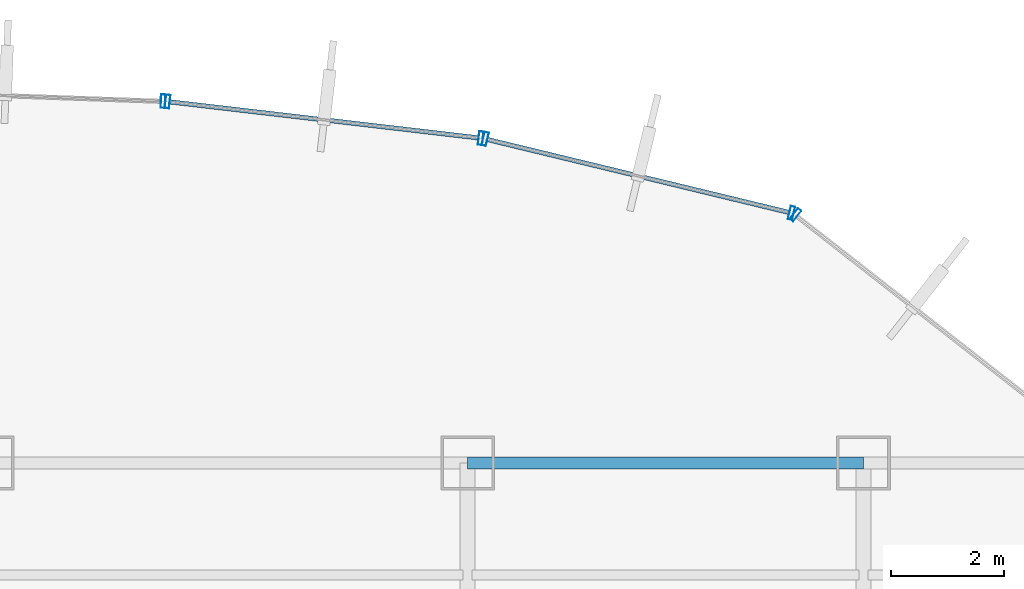
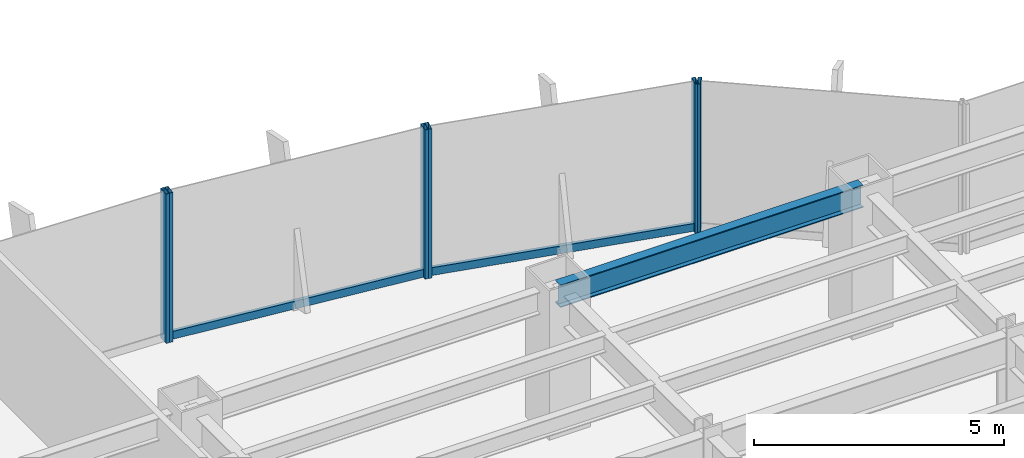
# One storey, part 14 of 22: 8 members, 1 beam, 4 elements without a shape of their own.
"""IFC4 building model written with IfcOpenShell, lengths in metres."""

import ifcopenshell
import ifcopenshell.guid

model = None  # the IFC model being written
_history = None  # IfcOwnerHistory: only IFC2X3 demands one
_inside = {}  # id of a spatial element -> (the spatial element, [elements in it])
_under = {}  # id of a project, library or spatial element -> (it, [spatial elements below it])
_declared = {}  # id of a project -> (the project, [libraries it declares])
_typed = {}  # id of a type object -> (the type object, [elements of that type])
_made_of = {}  # id of a material, layer set ... -> (it, [elements and type objects made of it])


def new_model(schema):
    """Start an empty IFC model of exactly this schema.

    Asked for "IFC4X3", IfcOpenShell would pick the latest addendum, in which some entities
    have other attributes; the version numbers below select the first issue.
    IFC2X3 requires an IfcOwnerHistory on every rooted entity: one is made here for all.
    """
    global model, _history
    if schema == "IFC4X3":
        model = ifcopenshell.file(schema_version=(4, 3, 0, 0))
    else:
        model = ifcopenshell.file(schema=schema)
    _inside.clear()
    _under.clear()
    _declared.clear()
    _typed.clear()
    _made_of.clear()
    _history = None
    if model.schema == "IFC2X3":
        org = make("IfcOrganization", Name="unknown")
        user = make(
            "IfcPersonAndOrganization",
            ThePerson=make("IfcPerson", FamilyName="unknown"),
            TheOrganization=org,
        )
        app = make(
            "IfcApplication",
            ApplicationDeveloper=org,
            Version="unknown",
            ApplicationFullName="unknown",
            ApplicationIdentifier="unknown",
        )
        _history = make(
            "IfcOwnerHistory",
            OwningUser=user,
            OwningApplication=app,
            ChangeAction="ADDED",
            CreationDate=0,
        )
    return model


def make(cls, **values):
    """One entity of the class cls with the attributes given. An attribute that is None is left unset."""
    return model.create_entity(
        cls, **{name: value for name, value in values.items() if value is not None}
    )


def rooted(cls, **values):
    """An entity with a GlobalId (a new one), such as an element, a storey or a relation."""
    return make(cls, GlobalId=ifcopenshell.guid.new(), OwnerHistory=_history, **values)


def si_unit(unit_type, name, prefix=None):
    """IfcSIUnit, for example si_unit("LENGTHUNIT", "METRE", prefix="MILLI")."""
    return make("IfcSIUnit", UnitType=unit_type, Prefix=prefix, Name=name)


def derived_unit(unit_type, elements):
    """IfcDerivedUnit: a product of units, each with its exponent."""
    return make(
        "IfcDerivedUnit",
        Elements=[
            make("IfcDerivedUnitElement", Unit=unit, Exponent=power)
            for unit, power in elements
        ],
        UnitType=unit_type,
    )


def assignment(units):
    """IfcUnitAssignment: the units of a project."""
    return None if units is None else make("IfcUnitAssignment", Units=units)


def point(xyz):
    """IfcCartesianPoint."""
    return None if xyz is None else make("IfcCartesianPoint", Coordinates=xyz)


def direction(xyz):
    """IfcDirection."""
    return None if xyz is None else make("IfcDirection", DirectionRatios=xyz)


def frame(location, z_axis=None, x_axis=None):
    """IfcAxis2Placement3D, a coordinate frame: its origin and axes. An axis left out is left unset."""
    return make(
        "IfcAxis2Placement3D",
        Location=point(location),
        Axis=direction(z_axis),
        RefDirection=direction(x_axis),
    )


def frame_2d(location, x_axis=None):
    """IfcAxis2Placement2D, a coordinate frame in the plane: its origin and x axis."""
    return make(
        "IfcAxis2Placement2D", Location=point(location), RefDirection=direction(x_axis)
    )


def origin():
    """The frame at (0, 0, 0) with its axes left unset."""
    return frame((0.0, 0.0, 0.0))


def origin_2d():
    """The frame at (0, 0) in the plane with its x axis left unset."""
    return frame_2d((0.0, 0.0))


def place(relative_to, where):
    """IfcLocalPlacement: puts the frame where relative to a parent placement (None: the world)."""
    return make(
        "IfcLocalPlacement", PlacementRelTo=relative_to, RelativePlacement=where
    )


def context(
    kind, dimensions, precision=None, world=None, true_north=None, identifier=None
):
    """IfcGeometricRepresentationContext, for example the 3D "Model" context."""
    return make(
        "IfcGeometricRepresentationContext",
        ContextIdentifier=identifier,
        ContextType=kind,
        CoordinateSpaceDimension=dimensions,
        Precision=precision,
        WorldCoordinateSystem=world,
        TrueNorth=true_north,
    )


def subcontext(parent, identifier, kind, view, scale=None):
    """IfcGeometricRepresentationSubContext, for example "Body" below "Model"."""
    return make(
        "IfcGeometricRepresentationSubContext",
        ContextIdentifier=identifier,
        ContextType=kind,
        ParentContext=parent,
        TargetScale=scale,
        TargetView=view,
    )


def project(units=None, contexts=None):
    """IfcProject with its units and contexts."""
    return rooted(
        "IfcProject",
        Name="project",
        RepresentationContexts=contexts,
        UnitsInContext=assignment(units),
    )


def spatial(cls, under=None, at=None, **own):
    """A site, building, storey or space (cls), placed at a placement, below another one or the project."""
    s = rooted(cls, ObjectPlacement=at, **own)
    if under is not None:
        _under.setdefault(under.id(), (under, []))[1].append(s)
    return s


def profile(cls, at=None, kind="AREA", **sizes):
    """A parametric profile (cls). Its sizes go by their IFC names, for example OverallWidth=200.0."""
    return make(cls, ProfileType=kind, Position=at, **sizes)


def hollow_rectangle(**sizes):
    """IfcRectangleHollowProfileDef."""
    return profile("IfcRectangleHollowProfileDef", **sizes)


def i_section(**sizes):
    """IfcIShapeProfileDef."""
    return profile("IfcIShapeProfileDef", **sizes)


def extrude(swept, where, along, depth):
    """IfcExtrudedAreaSolid: the profile swept, set in the frame where, extruded along a direction by depth."""
    return make(
        "IfcExtrudedAreaSolid",
        SweptArea=swept,
        Position=where,
        ExtrudedDirection=direction(along),
        Depth=depth,
    )


def shape(context_of_items, identifier, shape_type, items):
    """IfcShapeRepresentation: the items that make up one representation, for example the "Body"."""
    return make(
        "IfcShapeRepresentation",
        ContextOfItems=context_of_items,
        RepresentationIdentifier=identifier,
        RepresentationType=shape_type,
        Items=items,
    )


def source(mapping_origin, context_of_items, identifier, shape_type, items):
    """IfcRepresentationMap: a shape defined once, which mapped items show again and again."""
    return make(
        "IfcRepresentationMap",
        MappingOrigin=mapping_origin,
        MappedRepresentation=shape(context_of_items, identifier, shape_type, items),
    )


def transform(
    local_origin,
    x_axis=None,
    y_axis=None,
    z_axis=None,
    scale=None,
    scale2=None,
    scale3=None,
    uniform=True,
):
    """IfcCartesianTransformationOperator3D, or its non-uniform kind. x_axis, y_axis, z_axis: its Axis1, 2, 3."""
    if uniform:
        return make(
            "IfcCartesianTransformationOperator3D",
            Axis1=direction(x_axis),
            Axis2=direction(y_axis),
            LocalOrigin=point(local_origin),
            Scale=scale,
            Axis3=direction(z_axis),
        )
    return make(
        "IfcCartesianTransformationOperator3DnonUniform",
        Axis1=direction(x_axis),
        Axis2=direction(y_axis),
        LocalOrigin=point(local_origin),
        Scale=scale,
        Axis3=direction(z_axis),
        Scale2=scale2,
        Scale3=scale3,
    )


def mapped(mapping_source, mapping_target):
    """IfcMappedItem: shows the shape of a source again, moved by a transform."""
    return make(
        "IfcMappedItem", MappingSource=mapping_source, MappingTarget=mapping_target
    )


def material(Name=None, Category=None):
    """IfcMaterial."""
    return make("IfcMaterial", Name=Name, Category=Category)


def material_profile(
    of_material, cross_section, Name=None, Category=None, Priority=None
):
    """IfcMaterialProfile: a cross section and its material."""
    return make(
        "IfcMaterialProfile",
        Name=Name,
        Material=of_material,
        Profile=cross_section,
        Priority=Priority,
        Category=Category,
    )


def profile_set(profiles, Name=None, composite=None):
    """IfcMaterialProfileSet."""
    return make(
        "IfcMaterialProfileSet",
        Name=Name,
        MaterialProfiles=profiles,
        CompositeProfile=composite,
    )


def made_of(thing, what):
    """Note that an element or type object is made of a material, layer set ...; save() writes the relation."""
    if what is not None:
        _made_of.setdefault(what.id(), (what, []))[1].append(thing)
    return thing


def type_object(cls, material=None, **own):
    """A type object (cls), such as IfcWallType, which elements share."""
    return made_of(rooted(cls, **own), material)


def element(
    cls,
    number,
    at=None,
    inside=None,
    cuts=None,
    type_object=None,
    material=None,
    context=None,
    identifier="Body",
    shape_type=None,
    held_by="IfcProductDefinitionShape",
    body=None,
    shapes=None,
    **own,
):
    """One element of the class cls, such as IfcWall. Its Tag is "e" and its number.

    at: its placement. inside: the storey or other place that contains it. cuts: it is an
    opening in that element (IfcRelVoidsElement). A single representation is given by context,
    identifier, shape_type and body (its items); several are given by shapes. held_by: the class
    of the entity that holds the representations. save() writes the other relations.
    """
    e = rooted(cls, Tag="e%d" % number, ObjectPlacement=at, **own)
    if body is not None:
        shapes = [shape(context, identifier, shape_type, body)]
    if shapes is not None:
        e.Representation = make(held_by, Representations=shapes)
    if inside is not None:
        _inside.setdefault(inside.id(), (inside, []))[1].append(e)
    if cuts is not None:
        rooted(
            "IfcRelVoidsElement", RelatingBuildingElement=cuts, RelatedOpeningElement=e
        )
    if type_object is not None:
        _typed.setdefault(type_object.id(), (type_object, []))[1].append(e)
    return made_of(e, material)


def aggregate(whole, parts):
    """IfcRelAggregates: a whole, such as a stair, and the parts it consists of."""
    return rooted("IfcRelAggregates", RelatingObject=whole, RelatedObjects=parts)


def save(model, path):
    """Write the relations noted so far, then the file.

    IfcRelAggregates (storeys below a building ...), IfcRelContainedInSpatialStructure (elements
    in a storey), IfcRelDefinesByType, IfcRelAssociatesMaterial and IfcRelDeclares: one each for
    every whole, place, type object, material and project.
    """
    for whole, parts in _under.values():
        aggregate(whole, parts)
    for where, things in _inside.values():
        rooted(
            "IfcRelContainedInSpatialStructure",
            RelatedElements=things,
            RelatingStructure=where,
        )
    for kind, things in _typed.values():
        rooted("IfcRelDefinesByType", RelatedObjects=things, RelatingType=kind)
    for what, things in _made_of.values():
        rooted("IfcRelAssociatesMaterial", RelatedObjects=things, RelatingMaterial=what)
    for by, libraries in _declared.values():
        rooted("IfcRelDeclares", RelatingContext=by, RelatedDefinitions=libraries)
    model.write(path)


model = new_model("IFC4")

# Units and contexts
model_context = context("Model", 3, precision=1e-05, world=origin(), true_north=direction((0.0, 1.0)))
body_context = subcontext(model_context, "Body", "Model", "MODEL_VIEW")
ifc_project = project(units=[si_unit("LENGTHUNIT", "METRE"), si_unit("AREAUNIT", "SQUARE_METRE"), si_unit("VOLUMEUNIT", "CUBIC_METRE"), si_unit("PLANEANGLEUNIT", "RADIAN"), si_unit("MASSUNIT", "GRAM", prefix="KILO"), derived_unit("THERMALTRANSMITTANCEUNIT", [(si_unit("POWERUNIT", "WATT"), 1), (si_unit("LENGTHUNIT", "METRE"), -2), (si_unit("THERMODYNAMICTEMPERATUREUNIT", "KELVIN"), -1)])], contexts=[model_context])

# Site, building, storey
site_placement = place(None, origin())
site = spatial("IfcSite", under=ifc_project, at=site_placement, CompositionType="ELEMENT")
building_placement = place(site_placement, origin())
building = spatial("IfcBuilding", under=site, at=building_placement, Name="Skarnbrae Concourse Arena and Tower", CompositionType="ELEMENT")
storey_placement = place(building_placement, frame((0.0, 0.0, 72.64990234375)))
storey = spatial("IfcBuildingStorey", under=building, at=storey_placement, Name="L17", CompositionType="ELEMENT", Elevation=72.64990234375)

# Beam
ifc_material_1 = material(Name="Steel CSA G40.21 350W", Category="steel")
ifc_material_profile_1 = material_profile(ifc_material_1, i_section(OverallWidth=0.214111328125, OverallDepth=0.549072265625, WebThickness=0.0146484375, FlangeThickness=0.023681640625, at=origin_2d()), Name="W530X138")
ifc_profile_set_1 = profile_set([ifc_material_profile_1], Name="Steel CSA G40.21 350W")
beam_type = type_object("IfcBeamType", Name="BM-SPAN-W530X138", PredefinedType="SPANDREL", material=ifc_profile_set_1)
shared_shape_1 = source(origin(), body_context, "Body", "SweptSolid", [
    extrude(i_section(OverallWidth=0.214111328125, OverallDepth=0.549072265625, WebThickness=0.0146484375, FlangeThickness=0.023681640625, at=origin_2d()), origin(), (0.0, 0.0, 1.0), 7.0),
])
beam_placement = place(storey_placement, frame((42.0, 40.39990234375, 3.12548828125), z_axis=(1.0, 0.0, 0.0), x_axis=(0.0, 1.0, 0.0)))
element("IfcBeam", 1, at=beam_placement, inside=storey, type_object=beam_type, Name="L17 Perimeter spandrel Y40.4-6", PredefinedType="SPANDREL", context=body_context, shape_type="MappedRepresentation", body=[
    mapped(shared_shape_1, transform((0.0, 0.0, 0.0))),
])

# Curtain wall, member
ifc_material_2 = material(Name="Bronze anodised aluminium 6063-T6", Category="aluminium")
curtain_wall_type = type_object("IfcCurtainWallType", Name="CW-SYS-02-LOWZONE", PredefinedType="USERDEFINED", material=ifc_material_2)
curtain_wall_1_placement = place(storey_placement, origin())
curtain_wall_1 = element("IfcCurtainWall", 2, at=curtain_wall_1_placement, inside=storey, type_object=curtain_wall_type, Name="L17 Unitised curtain wall CW-L17-E09", ObjectType="UNITISED CURTAIN WALL", PredefinedType="USERDEFINED")
ifc_material_profile_2 = material_profile(ifc_material_2, hollow_rectangle(XDim=0.080078125, YDim=0.18994140625, WallThickness=0.0048828125, at=origin_2d()), Name="ALU-TRAN-80X190")
ifc_profile_set_2 = profile_set([ifc_material_profile_2], Name="Bronze anodised aluminium 6063-T6")
member_type_1 = type_object("IfcMemberType", Name="CWT-CW-02", PredefinedType="USERDEFINED", material=ifc_profile_set_2)
shared_shape_2 = source(origin(), body_context, "Body", "SweptSolid", [
    extrude(hollow_rectangle(XDim=0.080078125, YDim=0.18994140625, WallThickness=0.0048828125, at=origin_2d()), origin(), (0.0, 0.0, 1.0), 5.4921875),
])
member_1_placement = place(storey_placement, frame((47.6884765625, 44.83056640625, 0.09521484375), z_axis=(-0.971980728004, 0.235060554728, 0.0), x_axis=(-0.235060554728, -0.971980728004, 0.0)))
member_1 = element("IfcMember", 3, at=member_1_placement, type_object=member_type_1, Name="CW-L17-E09 Transom 1", ObjectType="TRANSOM", PredefinedType="USERDEFINED", context=body_context, shape_type="MappedRepresentation", body=[
    mapped(shared_shape_2, transform((0.0, 0.0, 0.0))),
])

curtain_wall_2_placement = place(storey_placement, origin())
curtain_wall_2 = element("IfcCurtainWall", 4, at=curtain_wall_2_placement, inside=storey, type_object=curtain_wall_type, Name="L17 Unitised curtain wall CW-L17-E10", ObjectType="UNITISED CURTAIN WALL", PredefinedType="USERDEFINED")
shared_shape_3 = source(origin(), body_context, "Body", "SweptSolid", [
    extrude(hollow_rectangle(XDim=0.080078125, YDim=0.18994140625, WallThickness=0.0048828125, at=origin_2d()), origin(), (0.0, 0.0, 1.0), 5.49658203125),
])
member_2_placement = place(storey_placement, frame((42.19287109375, 46.14990234375, 0.09521484375), z_axis=(-0.993247281455, 0.116016541417, 0.0), x_axis=(-0.116016541417, -0.993247281455, 0.0)))
member_2 = element("IfcMember", 5, at=member_2_placement, type_object=member_type_1, Name="CW-L17-E10 Transom 1", ObjectType="TRANSOM", PredefinedType="USERDEFINED", context=body_context, shape_type="MappedRepresentation", body=[
    mapped(shared_shape_3, transform((0.0, 0.0, 0.0))),
])

curtain_wall_3_placement = place(storey_placement, origin())
curtain_wall_3 = element("IfcCurtainWall", 6, at=curtain_wall_3_placement, inside=storey, type_object=curtain_wall_type, Name="L17 Unitised curtain wall CW-L17-E08", ObjectType="UNITISED CURTAIN WALL", PredefinedType="USERDEFINED")
ifc_material_profile_3 = material_profile(ifc_material_2, hollow_rectangle(XDim=0.080078125, YDim=0.239990234375, WallThickness=0.0048828125, at=origin_2d()), Name="ALU-MULL-80X240")
ifc_profile_set_3 = profile_set([ifc_material_profile_3], Name="Bronze anodised aluminium 6063-T6")
member_type_2 = type_object("IfcMemberType", Name="CWM-CW-02", PredefinedType="MULLION", material=ifc_profile_set_3)
shared_shape_4 = source(origin(), body_context, "Body", "SweptSolid", [
    extrude(hollow_rectangle(XDim=0.080078125, YDim=0.239990234375, WallThickness=0.0048828125, at=origin_2d()), origin(), (0.0, 0.0, 1.0), 3.650146484375),
])
member_3_placement = place(storey_placement, frame((47.7978515625, 44.787109375, 0.0), z_axis=(0.0, 0.0, 1.0), x_axis=(-0.787651726054, 0.616120733658, 0.0)))
member_3 = element("IfcMember", 7, at=member_3_placement, type_object=member_type_2, Name="CW-L17-E08 Mullion 2", PredefinedType="MULLION", context=body_context, shape_type="MappedRepresentation", body=[
    mapped(shared_shape_4, transform((0.0, 0.0, 0.0))),
])
aggregate(curtain_wall_3, [member_3])

# Member
member_4_placement = place(storey_placement, frame((47.727294921875, 44.821044921875, 0.0), z_axis=(0.0, 0.0, 1.0), x_axis=(-0.971973721569, 0.235089524607, 0.0)))
member_4 = element("IfcMember", 8, at=member_4_placement, type_object=member_type_2, Name="CW-L17-E09 Mullion 1", PredefinedType="MULLION", context=body_context, shape_type="MappedRepresentation", body=[
    mapped(shared_shape_4, transform((0.0, 0.0, 0.0))),
])

member_5_placement = place(storey_placement, frame((42.311279296875, 46.131103515625, 0.0), z_axis=(0.0, 0.0, 1.0), x_axis=(-0.971973721569, 0.235089524607, 0.0)))
member_5 = element("IfcMember", 9, at=member_5_placement, type_object=member_type_2, Name="CW-L17-E09 Mullion 2", PredefinedType="MULLION", context=body_context, shape_type="MappedRepresentation", body=[
    mapped(shared_shape_4, transform((0.0, 0.0, 0.0))),
])

aggregate(curtain_wall_1, [member_4, member_5, member_1])

member_6_placement = place(storey_placement, frame((42.232666015625, 46.14501953125, 0.0), z_axis=(0.0, 0.0, 1.0), x_axis=(-0.99324457001, 0.116039752435, 0.0)))
member_6 = element("IfcMember", 10, at=member_6_placement, type_object=member_type_2, Name="CW-L17-E10 Mullion 1", PredefinedType="MULLION", context=body_context, shape_type="MappedRepresentation", body=[
    mapped(shared_shape_4, transform((0.0, 0.0, 0.0))),
])

member_7_placement = place(storey_placement, frame((36.693603515625, 46.792236328125, 0.0), z_axis=(0.0, 0.0, 1.0), x_axis=(-0.99324457001, 0.116039752435, 0.0)))
member_7 = element("IfcMember", 11, at=member_7_placement, type_object=member_type_2, Name="CW-L17-E10 Mullion 2", PredefinedType="MULLION", context=body_context, shape_type="MappedRepresentation", body=[
    mapped(shared_shape_4, transform((0.0, 0.0, 0.0))),
])

aggregate(curtain_wall_2, [member_6, member_7, member_2])

# Curtain wall, member
curtain_wall_4_placement = place(storey_placement, origin())
curtain_wall_4 = element("IfcCurtainWall", 12, at=curtain_wall_4_placement, inside=storey, type_object=curtain_wall_type, Name="L17 Unitised curtain wall CW-L17-E11", ObjectType="UNITISED CURTAIN WALL", PredefinedType="USERDEFINED")
member_8_placement = place(storey_placement, frame((36.614013671875, 46.79833984375, 0.0), z_axis=(0.0, 0.0, 1.0), x_axis=(-0.999355425188, 0.035898943527, 0.0)))
member_8 = element("IfcMember", 13, at=member_8_placement, type_object=member_type_2, Name="CW-L17-E11 Mullion 1", PredefinedType="MULLION", context=body_context, shape_type="MappedRepresentation", body=[
    mapped(shared_shape_4, transform((0.0, 0.0, 0.0))),
])
aggregate(curtain_wall_4, [member_8])

save(model, "model.ifc")
